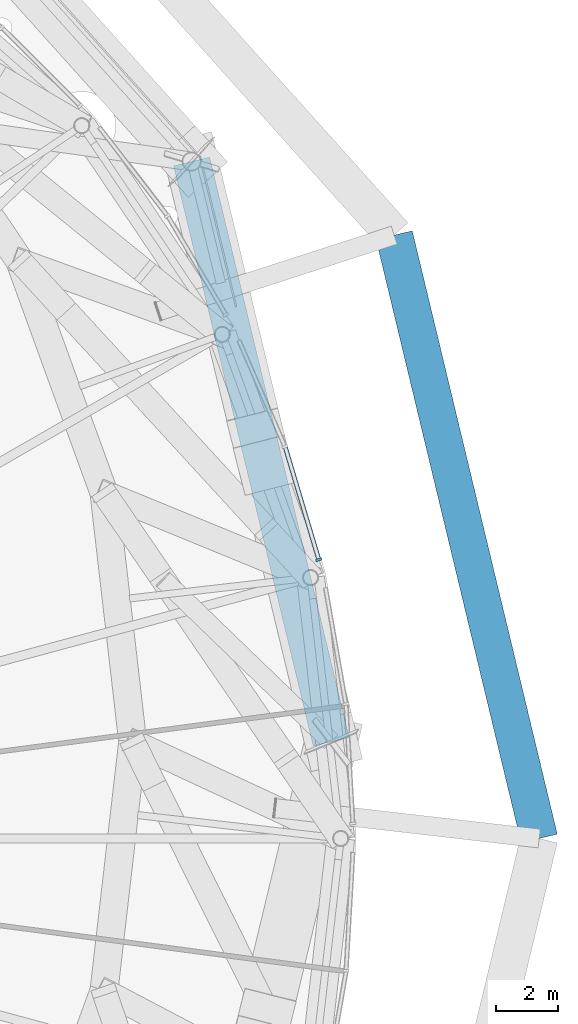
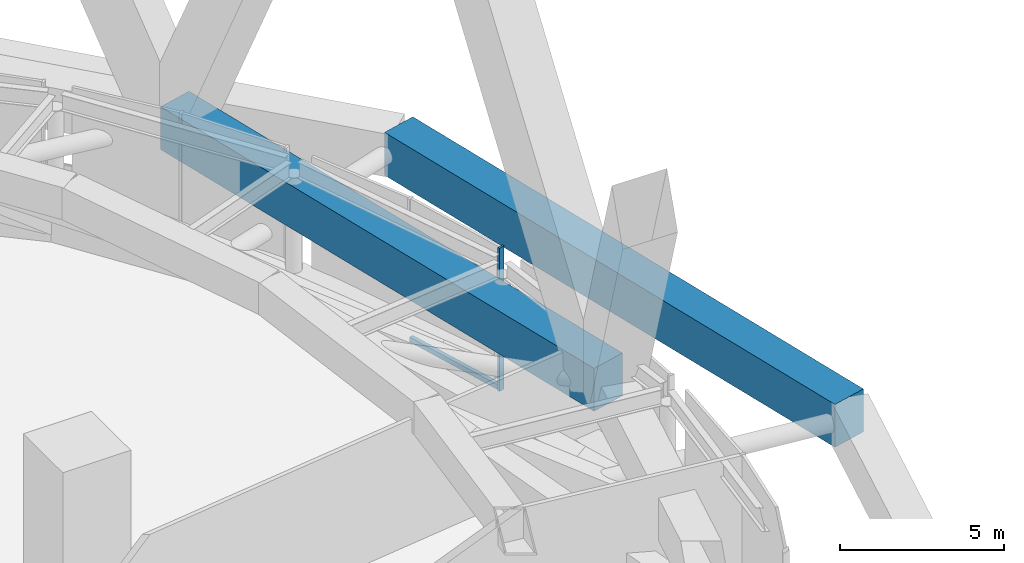
# One storey, part 28 of 51: 4 members, 1 element without a shape of its own.
"""IFC4 building model written with IfcOpenShell, lengths in metres."""

from ifc_helpers import new_model, si_unit, direction, frame, origin, origin_2d, place, context, subcontext, project, spatial, rectangle, extrude, material, layer, layer_set, material_profile, profile_set, type_object, element, aggregate, save


model = new_model("IFC4")

# Units and contexts
model_context = context("Model", 3, precision=1e-05, world=origin(), true_north=direction((0.0, 1.0)))
body_context = subcontext(model_context, "Body", "Model", "MODEL_VIEW")
ifc_project = project(units=[si_unit("LENGTHUNIT", "METRE"), si_unit("AREAUNIT", "SQUARE_METRE"), si_unit("VOLUMEUNIT", "CUBIC_METRE"), si_unit("PLANEANGLEUNIT", "RADIAN"), si_unit("MASSUNIT", "GRAM", prefix="KILO")], contexts=[model_context])

# Site, building, storey
site_placement = place(None, origin())
site = spatial("IfcSite", under=ifc_project, at=site_placement, CompositionType="ELEMENT")
building_placement = place(site_placement, origin())
building = spatial("IfcBuilding", under=site, at=building_placement, Name="Nagisa Residences", CompositionType="ELEMENT")
storey_placement = place(building_placement, frame((0.0, 0.0, 67.699951171875)))
storey = spatial("IfcBuildingStorey", under=building, at=storey_placement, Name="L16", CompositionType="ELEMENT", Elevation=67.699951171875)

# Curtain wall, members
ifc_material_1 = material(Name="Aluminium curtain wall system", Category="aluminium")
ifc_layer = layer(ifc_material_1, 0.159912109375)
ifc_layer_set = layer_set([ifc_layer], Name="CW2 CURTAIN WALL")
curtain_wall_type = type_object("IfcCurtainWallType", Name="CW2 CURTAIN WALL", PredefinedType="NOTDEFINED", material=ifc_layer_set)
curtain_wall_placement = place(storey_placement, origin())
curtain_wall = element("IfcCurtainWall", 1, at=curtain_wall_placement, inside=storey, type_object=curtain_wall_type, Name="cw:CW2:L16:02", PredefinedType="NOTDEFINED")
ifc_material_2 = material(Name="Aluminium", Category="aluminium")
ifc_material_profile_1 = material_profile(ifc_material_2, rectangle(XDim=0.199951171875, YDim=0.080078125, at=origin_2d()), Name="CW2 MULLION 200x80")
ifc_profile_set_1 = profile_set([ifc_material_profile_1], Name="Aluminium")
member_type_1 = type_object("IfcMemberType", Name="CW2 MULLION 200x80", PredefinedType="MULLION", material=ifc_profile_set_1)
member_1_placement = place(storey_placement, frame((31.39501953125, 8.98779296875, 0.0), z_axis=(0.0, 0.0, 1.0), x_axis=(-0.958271310082, -0.285860274038, 0.0)))
member_1 = element("IfcMember", 2, at=member_1_placement, type_object=member_type_1, Name="CW2 mullion", PredefinedType="MULLION", context=body_context, shape_type="SweptSolid", body=[
    extrude(rectangle(XDim=0.199951171875, YDim=0.080078125, at=origin_2d()), origin(), (0.0, 0.0, 1.0), 5.340087890625),
])
ifc_material_3 = material(Name="Aluminium", Category="aluminium")
ifc_material_profile_2 = material_profile(ifc_material_3, rectangle(XDim=0.139892578125, YDim=0.179931640625, at=origin_2d()), Name="CW2 TRANSOM 140x180")
ifc_profile_set_2 = profile_set([ifc_material_profile_2], Name="Aluminium")
member_type_2 = type_object("IfcMemberType", Name="CW2 TRANSOM 140x180", PredefinedType="USERDEFINED", material=ifc_profile_set_2)
member_2_placement = place(storey_placement, frame((31.406494140625, 8.949462890625, 0.090087890625), z_axis=(-0.285832955611, 0.958279458972, 0.0), x_axis=(-0.958279458972, -0.285832955611, 0.0)))
member_2 = element("IfcMember", 3, at=member_2_placement, type_object=member_type_2, Name="CW2 transom", ObjectType="TRANSOM", PredefinedType="USERDEFINED", context=body_context, shape_type="SweptSolid", body=[
    extrude(rectangle(XDim=0.139892578125, YDim=0.179931640625, at=origin_2d()), origin(), (0.0, 0.0, 1.0), 3.8154296875),
])
aggregate(curtain_wall, [member_1, member_2])

# Members
ifc_material_4 = material(Name="Concrete C80", Category="concrete")
ifc_material_profile_3 = material_profile(ifc_material_4, rectangle(XDim=1.199951171875, YDim=1.60009765625, at=origin_2d()), Name="C80 1200x1600")
ifc_profile_set_3 = profile_set([ifc_material_profile_3], Name="Concrete C80")
member_type_3 = type_object("IfcMemberType", Name="Cage ring 1 C80 1200x1600", PredefinedType="CHORD", material=ifc_profile_set_3)
member_3_placement = place(storey_placement, frame((38.5, 0.0, 1.900146484375), z_axis=(-0.233741287483, 0.972298827792, 0.0), x_axis=(-0.972298827792, -0.233741287483, 0.0)))
element("IfcMember", 4, at=member_3_placement, inside=storey, type_object=member_type_3, Name="beam:L16:cg1r201", PredefinedType="CHORD", context=body_context, shape_type="SweptSolid", body=[
    extrude(rectangle(XDim=1.199951171875, YDim=1.60009765625, at=origin_2d()), origin(), (0.0, 0.0, 1.0), 20.004150390625),
])
ifc_material_5 = material(Name="Concrete C80", Category="concrete")
ifc_material_profile_4 = material_profile(ifc_material_5, rectangle(XDim=1.199951171875, YDim=1.60009765625, at=origin_2d()), Name="C80 1200x1600")
ifc_profile_set_4 = profile_set([ifc_material_profile_4], Name="Concrete C80")
member_type_4 = type_object("IfcMemberType", Name="Cage ring 2 C80 1200x1600", PredefinedType="CHORD", material=ifc_profile_set_4)
member_4_placement = place(storey_placement, frame((31.794921875, 3.11767578125, 3.699951171875), z_axis=(-0.233909916693, 0.972258273749, 0.0), x_axis=(-0.972258273749, -0.233909916693, 0.0)))
element("IfcMember", 5, at=member_4_placement, inside=storey, type_object=member_type_4, Name="beam:L16:cg2r001", PredefinedType="CHORD", context=body_context, shape_type="SweptSolid", body=[
    extrude(rectangle(XDim=1.199951171875, YDim=1.60009765625, at=origin_2d()), origin(), (0.0, 0.0, 1.0), 19.2412109375),
])

save(model, "model.ifc")
